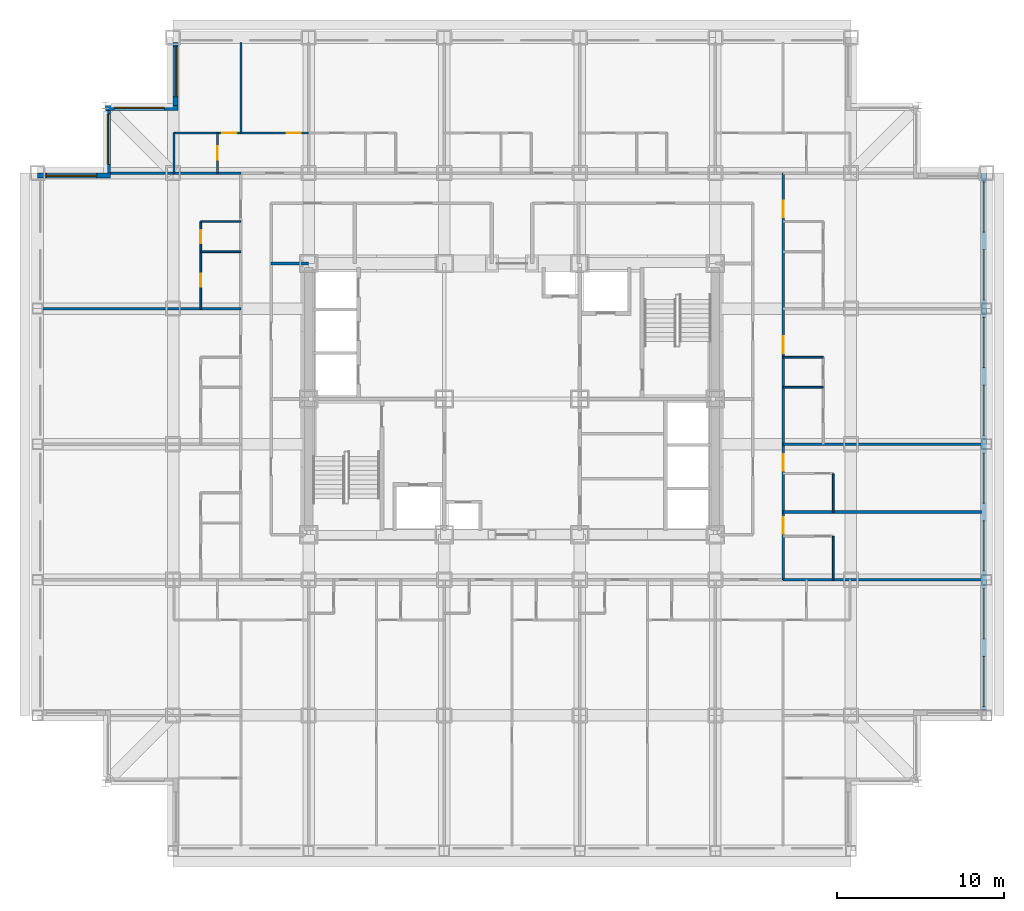
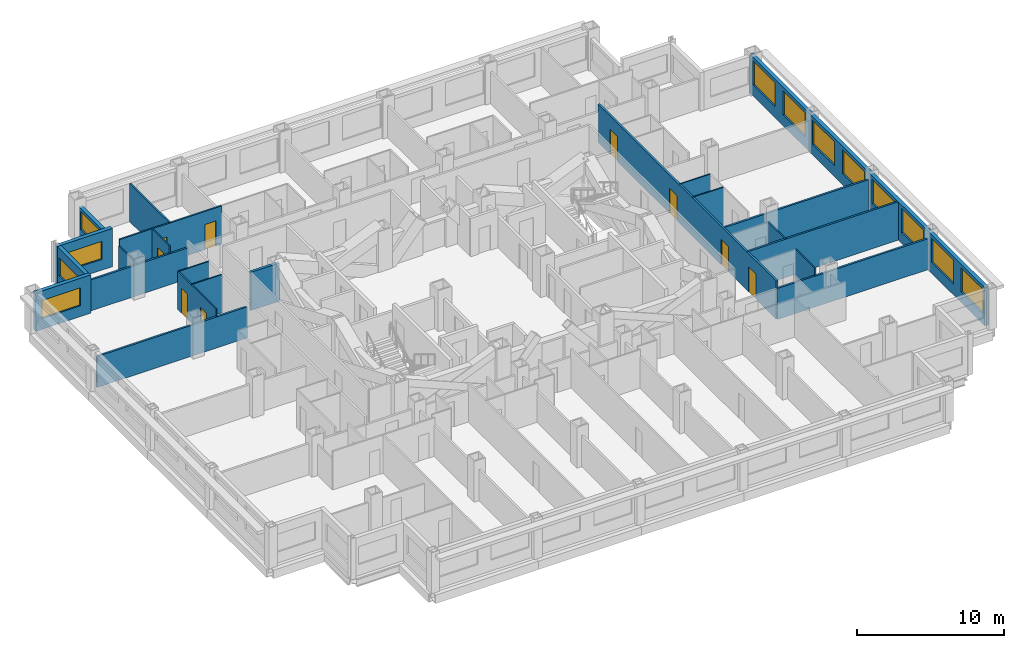
# One storey, part 8 of 12: 23 walls, 12 windows, 9 doors, 21 openings.
"""IFC4 building model written with IfcOpenShell, lengths in metres."""

from ifc_helpers import new_model, si_unit, direction, frame, frame_2d, origin, place, context, subcontext, project, spatial, rectangle, extrude, material, layer, layer_set, type_object, element, fill, save


model = new_model("IFC4")

# Units and contexts
model_context = context("Model", 3, precision=1e-05, world=origin(), true_north=direction((0.0, 1.0)))
body_context = subcontext(model_context, "Body", "Model", "MODEL_VIEW")
ifc_project = project(units=[si_unit("LENGTHUNIT", "METRE"), si_unit("AREAUNIT", "SQUARE_METRE"), si_unit("VOLUMEUNIT", "CUBIC_METRE"), si_unit("PLANEANGLEUNIT", "RADIAN"), si_unit("MASSUNIT", "GRAM", prefix="KILO")], contexts=[model_context])

# Site, building, storey
site_placement = place(None, origin())
site = spatial("IfcSite", under=ifc_project, at=site_placement, CompositionType="ELEMENT")
building_placement = place(site_placement, origin())
building = spatial("IfcBuilding", under=site, at=building_placement, Name="Kopane Lantern Tower", CompositionType="ELEMENT")
storey_placement = place(building_placement, frame((0.0, 0.0, 103.39990234375)))
storey = spatial("IfcBuildingStorey", under=building, at=storey_placement, Name="L25", CompositionType="ELEMENT", Elevation=103.39990234375)

# Wall, openings, doors
ifc_material_1 = material(Name="Gypsum board on steel studs", Category="steel")
ifc_layer_1 = layer(ifc_material_1, 0.1201171875)
ifc_layer_set_1 = layer_set([ifc_layer_1], Name="APARTMENT INTERNAL WALL 120")
wall_type_1 = type_object("IfcWallType", Name="APARTMENT INTERNAL WALL 120", PredefinedType="PARTITIONING", material=ifc_layer_set_1)
wall_1_placement = place(storey_placement, frame((8.14990234375, 48.300048828125, 0.0), z_axis=(0.0, 0.0, 1.0), x_axis=(1.0, 0.0, 0.0)))
wall_1 = element("IfcWall", 1, at=wall_1_placement, inside=storey, type_object=wall_type_1, Name="Apartment Internal Wall 120 L25", PredefinedType="PARTITIONING", context=body_context, shape_type="SweptSolid", body=[
    extrude(rectangle(XDim=8.050048828125, YDim=0.1201171875, at=frame_2d((4.02490234375, 0.0))), origin(), (0.0, 0.0, 1.0), 3.190185546875),
])
opening_1_placement = place(wall_1_placement, frame((6.72509765625, 0.0, 0.0)))
opening_1 = element("IfcOpeningElement", 2, at=opening_1_placement, cuts=wall_1, Name="Opening L25-064", PredefinedType="OPENING", context=body_context, shape_type="SweptSolid", body=[
    extrude(rectangle(XDim=0.85009765625, YDim=2.10009765625, at=frame_2d((0.425048828125, 1.050048828125))), frame((0.0, 0.070068359375, 0.0), z_axis=(0.0, -1.0, 0.0), x_axis=(1.0, 0.0, 0.0)), (0.0, 0.0, 1.0), 0.14013671875),
])
opening_2_placement = place(wall_1_placement, frame((2.875, 0.0, 0.0)))
opening_2 = element("IfcOpeningElement", 3, at=opening_2_placement, cuts=wall_1, Name="Opening L25-066", PredefinedType="OPENING", context=body_context, shape_type="SweptSolid", body=[
    extrude(rectangle(XDim=0.85009765625, YDim=2.10009765625, at=frame_2d((0.425048828125, 1.050048828125))), frame((0.0, 0.070068359375, 0.0), z_axis=(0.0, -1.0, 0.0), x_axis=(1.0, 0.0, 0.0)), (0.0, 0.0, 1.0), 0.14013671875),
])
ifc_material_2 = material(Name="Timber door set", Category="wood")
door_type_1 = type_object("IfcDoorType", Name="DOOR D4 850x2100", OperationType="SINGLE_SWING_LEFT", PredefinedType="DOOR", material=ifc_material_2)
door_1_placement = place(opening_1_placement, origin())
door_1 = element("IfcDoor", 4, at=door_1_placement, inside=storey, type_object=door_type_1, Name="Door L25-064", OperationType="SINGLE_SWING_LEFT", OverallHeight=2.10009765625, OverallWidth=0.85009765625, PredefinedType="DOOR", context=body_context, shape_type="SweptSolid", body=[
    extrude(rectangle(XDim=0.85009765625, YDim=2.10009765625, at=frame_2d((0.425048828125, 1.050048828125))), frame((0.0, 0.02490234375, 0.0), z_axis=(0.0, -1.0, 0.0), x_axis=(1.0, 0.0, 0.0)), (0.0, 0.0, 1.0), 0.050048828125),
])
fill(opening_1, door_1)
door_2_placement = place(opening_2_placement, origin())
door_2 = element("IfcDoor", 5, at=door_2_placement, inside=storey, type_object=door_type_1, Name="Door L25-066", OperationType="SINGLE_SWING_RIGHT", OverallHeight=2.10009765625, OverallWidth=0.85009765625, PredefinedType="DOOR", context=body_context, shape_type="SweptSolid", body=[
    extrude(rectangle(XDim=0.85009765625, YDim=2.10009765625, at=frame_2d((0.425048828125, 1.050048828125))), frame((0.0, 0.02490234375, 0.0), z_axis=(0.0, -1.0, 0.0), x_axis=(1.0, 0.0, 0.0)), (0.0, 0.0, 1.0), 0.050048828125),
])
fill(opening_2, door_2)

# Wall
wall_2_placement = place(storey_placement, frame((12.14990234375, 48.300048828125, 0.0), z_axis=(0.0, 0.0, 1.0), x_axis=(0.0, 1.0, 0.0)))
element("IfcWall", 6, at=wall_2_placement, inside=storey, type_object=wall_type_1, Name="Apartment Internal Wall 120 L25", PredefinedType="PARTITIONING", context=body_context, shape_type="SweptSolid", body=[
    extrude(rectangle(XDim=5.39990234375, YDim=0.1201171875, at=frame_2d((2.699951171875, 0.0))), origin(), (0.0, 0.0, 1.0), 3.190185546875),
])

# Wall, openings, doors
ifc_material_3 = material(Name="Moisture-resistant board on steel studs", Category="steel")
ifc_layer_2 = layer(ifc_material_3, 0.10009765625)
ifc_layer_set_2 = layer_set([ifc_layer_2], Name="BATHROOM WALL 100")
wall_type_2 = type_object("IfcWallType", Name="BATHROOM WALL 100", PredefinedType="PARTITIONING", material=ifc_layer_set_2)
wall_3_placement = place(storey_placement, frame((9.75, 37.800048828125, 0.0), z_axis=(0.0, 0.0, 1.0), x_axis=(0.0, 1.0, 0.0)))
wall_3 = element("IfcWall", 7, at=wall_3_placement, inside=storey, type_object=wall_type_2, Name="Bathroom Wall 100 L25", PredefinedType="PARTITIONING", context=body_context, shape_type="SweptSolid", body=[
    extrude(rectangle(XDim=5.199951171875, YDim=0.10009765625, at=frame_2d((2.60009765625, 0.0))), origin(), (0.0, 0.0, 1.0), 3.190185546875),
])
opening_3_placement = place(wall_3_placement, frame((1.300048828125, 0.0, 0.0)))
opening_3 = element("IfcOpeningElement", 8, at=opening_3_placement, cuts=wall_3, Name="Opening L25-036", PredefinedType="OPENING", context=body_context, shape_type="SweptSolid", body=[
    extrude(rectangle(XDim=0.800048828125, YDim=2.10009765625, at=frame_2d((0.39990234375, 1.050048828125))), frame((0.0, 0.06005859375, 0.0), z_axis=(0.0, -1.0, 0.0), x_axis=(1.0, 0.0, 0.0)), (0.0, 0.0, 1.0), 0.1201171875),
])
opening_4_placement = place(wall_3_placement, frame((3.89990234375, 0.0, 0.0)))
opening_4 = element("IfcOpeningElement", 9, at=opening_4_placement, cuts=wall_3, Name="Opening L25-037", PredefinedType="OPENING", context=body_context, shape_type="SweptSolid", body=[
    extrude(rectangle(XDim=0.800048828125, YDim=2.10009765625, at=frame_2d((0.39990234375, 1.050048828125))), frame((0.0, 0.06005859375, 0.0), z_axis=(0.0, -1.0, 0.0), x_axis=(1.0, 0.0, 0.0)), (0.0, 0.0, 1.0), 0.1201171875),
])
ifc_material_4 = material(Name="Timber door set", Category="wood")
door_type_2 = type_object("IfcDoorType", Name="DOOR D2 800x2100", OperationType="SINGLE_SWING_LEFT", PredefinedType="DOOR", material=ifc_material_4)
door_3_placement = place(opening_3_placement, origin())
door_3 = element("IfcDoor", 10, at=door_3_placement, inside=storey, type_object=door_type_2, Name="Door L25-036", OperationType="SINGLE_SWING_LEFT", OverallHeight=2.10009765625, OverallWidth=0.800048828125, PredefinedType="DOOR", context=body_context, shape_type="SweptSolid", body=[
    extrude(rectangle(XDim=0.800048828125, YDim=2.10009765625, at=frame_2d((0.39990234375, 1.050048828125))), frame((0.0, 0.02490234375, 0.0), z_axis=(0.0, -1.0, 0.0), x_axis=(1.0, 0.0, 0.0)), (0.0, 0.0, 1.0), 0.050048828125),
])
fill(opening_3, door_3)
door_4_placement = place(opening_4_placement, origin())
door_4 = element("IfcDoor", 11, at=door_4_placement, inside=storey, type_object=door_type_2, Name="Door L25-037", OperationType="SINGLE_SWING_LEFT", OverallHeight=2.10009765625, OverallWidth=0.800048828125, PredefinedType="DOOR", context=body_context, shape_type="SweptSolid", body=[
    extrude(rectangle(XDim=0.800048828125, YDim=2.10009765625, at=frame_2d((0.39990234375, 1.050048828125))), frame((0.0, 0.02490234375, 0.0), z_axis=(0.0, -1.0, 0.0), x_axis=(1.0, 0.0, 0.0)), (0.0, 0.0, 1.0), 0.050048828125),
])
fill(opening_4, door_4)

# Walls
for number, where, z_axis, x_axis, name in (
    (12, (12.14990234375, 41.199951171875, 0.0), (0.0, 0.0, 1.0), (-1.0, 0.0, 0.0), "Bathroom Wall 100 L25"),
    (13, (12.14990234375, 43.0, 0.0), (0.0, 0.0, 1.0), (-1.0, 0.0, 0.0), "Bathroom Wall 100 L25"),
):
    element("IfcWall", number, at=place(storey_placement, frame(where, z_axis=z_axis, x_axis=x_axis)), inside=storey, type_object=wall_type_2, Name=name, PredefinedType="PARTITIONING", context=body_context, shape_type="SweptSolid", body=[
        extrude(rectangle(XDim=2.39990234375, YDim=0.10009765625, at=frame_2d((1.199951171875, 0.0))), origin(), (0.0, 0.0, 1.0), 3.190185546875),
    ])
wall_4_placement = place(storey_placement, frame((47.550048828125, 21.60009765625, 0.0), z_axis=(0.0, 0.0, 1.0), x_axis=(0.0, 1.0, 0.0)))
element("IfcWall", 14, at=wall_4_placement, inside=storey, type_object=wall_type_2, Name="Bathroom Wall 100 L25", PredefinedType="PARTITIONING", context=body_context, shape_type="SweptSolid", body=[
    extrude(rectangle(XDim=2.599853515625, YDim=0.10009765625, at=frame_2d((1.2998046875, 0.0))), origin(), (0.0, 0.0, 1.0), 3.190185546875),
])
wall_5_placement = place(storey_placement, frame((47.550048828125, 25.64990234375, 0.0), z_axis=(0.0, 0.0, 1.0), x_axis=(0.0, 1.0, 0.0)))
element("IfcWall", 15, at=wall_5_placement, inside=storey, type_object=wall_type_2, Name="Bathroom Wall 100 L25", PredefinedType="PARTITIONING", context=body_context, shape_type="SweptSolid", body=[
    extrude(rectangle(XDim=2.300048828125, YDim=0.10009765625, at=frame_2d((1.14990234375, 0.0))), origin(), (0.0, 0.0, 1.0), 3.190185546875),
])
for number, where, z_axis, x_axis, name in (
    (16, (44.550048828125, 33.10009765625, 0.0), (0.0, 0.0, 1.0), (1.0, 0.0, 0.0), "Bathroom Wall 100 L25"),
    (17, (44.550048828125, 34.89990234375, 0.0), (0.0, 0.0, 1.0), (1.0, 0.0, 0.0), "Bathroom Wall 100 L25"),
):
    element("IfcWall", number, at=place(storey_placement, frame(where, z_axis=z_axis, x_axis=x_axis)), inside=storey, type_object=wall_type_2, Name=name, PredefinedType="PARTITIONING", context=body_context, shape_type="SweptSolid", body=[
        extrude(rectangle(XDim=2.39990234375, YDim=0.10009765625, at=frame_2d((1.199951171875, 0.0))), origin(), (0.0, 0.0, 1.0), 3.190185546875),
    ])

# Wall, opening, door
wall_6_placement = place(storey_placement, frame((10.75, 45.89990234375, 0.0), z_axis=(0.0, 0.0, 1.0), x_axis=(0.0, 1.0, 0.0)))
wall_6 = element("IfcWall", 18, at=wall_6_placement, inside=storey, type_object=wall_type_2, Name="Bathroom Wall 100 L25", PredefinedType="PARTITIONING", context=body_context, shape_type="SweptSolid", body=[
    extrude(rectangle(XDim=2.400146484375, YDim=0.10009765625, at=frame_2d((1.2001953125, 0.0))), origin(), (0.0, 0.0, 1.0), 3.190185546875),
])
opening_5_placement = place(wall_6_placement, frame((0.800048828125, 0.0, 0.0)))
opening_5 = element("IfcOpeningElement", 19, at=opening_5_placement, cuts=wall_6, Name="Opening L25-065", PredefinedType="OPENING", context=body_context, shape_type="SweptSolid", body=[
    extrude(rectangle(XDim=0.800048828125, YDim=2.10009765625, at=frame_2d((0.39990234375, 1.050048828125))), frame((0.0, 0.06005859375, 0.0), z_axis=(0.0, -1.0, 0.0), x_axis=(1.0, 0.0, 0.0)), (0.0, 0.0, 1.0), 0.1201171875),
])
door_5_placement = place(opening_5_placement, origin())
door_5 = element("IfcDoor", 20, at=door_5_placement, inside=storey, type_object=door_type_2, Name="Door L25-065", OperationType="SINGLE_SWING_LEFT", OverallHeight=2.10009765625, OverallWidth=0.800048828125, PredefinedType="DOOR", context=body_context, shape_type="SweptSolid", body=[
    extrude(rectangle(XDim=0.800048828125, YDim=2.10009765625, at=frame_2d((0.39990234375, 1.050048828125))), frame((0.0, 0.02490234375, 0.0), z_axis=(0.0, -1.0, 0.0), x_axis=(1.0, 0.0, 0.0)), (0.0, 0.0, 1.0), 0.050048828125),
])
fill(opening_5, door_5)

# Wall
wall_7_placement = place(storey_placement, frame((8.14990234375, 45.89990234375, 0.0), z_axis=(0.0, 0.0, 1.0), x_axis=(0.0, 1.0, 0.0)))
element("IfcWall", 21, at=wall_7_placement, inside=storey, type_object=wall_type_2, Name="Bathroom Wall 100 L25", PredefinedType="PARTITIONING", context=body_context, shape_type="SweptSolid", body=[
    extrude(rectangle(XDim=2.400146484375, YDim=0.10009765625, at=frame_2d((1.2001953125, 0.0))), origin(), (0.0, 0.0, 1.0), 2.64013671875),
])

# Wall, openings, doors
ifc_material_5 = material(Name="Gypsum board on steel studs", Category="steel")
ifc_layer_3 = layer(ifc_material_5, 0.14990234375)
ifc_layer_set_3 = layer_set([ifc_layer_3], Name="CORRIDOR WALL 150 EI 60")
wall_type_3 = type_object("IfcWallType", Name="CORRIDOR WALL 150 EI 60", PredefinedType="PARTITIONING", material=ifc_layer_set_3)
wall_8_placement = place(storey_placement, frame((44.550048828125, 21.60009765625, 0.0), z_axis=(0.0, 0.0, 1.0), x_axis=(0.0, 1.0, 0.0)))
wall_8 = element("IfcWall", 22, at=wall_8_placement, inside=storey, type_object=wall_type_3, Name="Corridor Wall 150 Ei 60 L25", PredefinedType="PARTITIONING", context=body_context, shape_type="SweptSolid", body=[
    extrude(rectangle(XDim=24.2998046875, YDim=0.14990234375, at=frame_2d((12.14990234375, 0.0))), origin(), (0.0, 0.0, 1.0), 3.190185546875),
])
opening_6_placement = place(wall_8_placement, frame((2.75, 0.0, 0.0)))
opening_6 = element("IfcOpeningElement", 23, at=opening_6_placement, cuts=wall_8, Name="Opening L25-040", PredefinedType="OPENING", context=body_context, shape_type="SweptSolid", body=[
    extrude(rectangle(XDim=1.0, YDim=2.10009765625, at=frame_2d((0.5, 1.050048828125))), frame((0.0, 0.0849609375, 0.0), z_axis=(0.0, -1.0, 0.0), x_axis=(1.0, 0.0, 0.0)), (0.0, 0.0, 1.0), 0.169921875),
])
opening_7_placement = place(wall_8_placement, frame((6.5, 0.0, 0.0)))
opening_7 = element("IfcOpeningElement", 24, at=opening_7_placement, cuts=wall_8, Name="Opening L25-042", PredefinedType="OPENING", context=body_context, shape_type="SweptSolid", body=[
    extrude(rectangle(XDim=1.0, YDim=2.10009765625, at=frame_2d((0.5, 1.050048828125))), frame((0.0, 0.0849609375, 0.0), z_axis=(0.0, -1.0, 0.0), x_axis=(1.0, 0.0, 0.0)), (0.0, 0.0, 1.0), 0.169921875),
])
opening_8_placement = place(wall_8_placement, frame((13.550048828125, 0.0, 0.0)))
opening_8 = element("IfcOpeningElement", 25, at=opening_8_placement, cuts=wall_8, Name="Opening L25-045", PredefinedType="OPENING", context=body_context, shape_type="SweptSolid", body=[
    extrude(rectangle(XDim=1.0, YDim=2.10009765625, at=frame_2d((0.5, 1.050048828125))), frame((0.0, 0.0849609375, 0.0), z_axis=(0.0, -1.0, 0.0), x_axis=(1.0, 0.0, 0.0)), (0.0, 0.0, 1.0), 0.169921875),
])
opening_9_placement = place(wall_8_placement, frame((21.64990234375, 0.0, 0.0)))
opening_9 = element("IfcOpeningElement", 26, at=opening_9_placement, cuts=wall_8, Name="Opening L25-048", PredefinedType="OPENING", context=body_context, shape_type="SweptSolid", body=[
    extrude(rectangle(XDim=1.0, YDim=2.10009765625, at=frame_2d((0.5, 1.050048828125))), frame((0.0, 0.0849609375, 0.0), z_axis=(0.0, -1.0, 0.0), x_axis=(1.0, 0.0, 0.0)), (0.0, 0.0, 1.0), 0.169921875),
])
ifc_material_6 = material(Name="Steel door set", Category="steel")
door_type_3 = type_object("IfcDoorType", Name="DOOR D1 1000x2100 FD30S", OperationType="SINGLE_SWING_LEFT", PredefinedType="DOOR", material=ifc_material_6)
door_6_placement = place(opening_6_placement, origin())
door_6 = element("IfcDoor", 27, at=door_6_placement, inside=storey, type_object=door_type_3, Name="Door L25-040", OperationType="SINGLE_SWING_RIGHT", OverallHeight=2.10009765625, OverallWidth=1.0, PredefinedType="DOOR", context=body_context, shape_type="SweptSolid", body=[
    extrude(rectangle(XDim=1.0, YDim=2.10009765625, at=frame_2d((0.5, 1.050048828125))), frame((0.0, 0.02490234375, 0.0), z_axis=(0.0, -1.0, 0.0), x_axis=(1.0, 0.0, 0.0)), (0.0, 0.0, 1.0), 0.050048828125),
])
fill(opening_6, door_6)
door_7_placement = place(opening_7_placement, origin())
door_7 = element("IfcDoor", 28, at=door_7_placement, inside=storey, type_object=door_type_3, Name="Door L25-042", OperationType="SINGLE_SWING_RIGHT", OverallHeight=2.10009765625, OverallWidth=1.0, PredefinedType="DOOR", context=body_context, shape_type="SweptSolid", body=[
    extrude(rectangle(XDim=1.0, YDim=2.10009765625, at=frame_2d((0.5, 1.050048828125))), frame((0.0, 0.02490234375, 0.0), z_axis=(0.0, -1.0, 0.0), x_axis=(1.0, 0.0, 0.0)), (0.0, 0.0, 1.0), 0.050048828125),
])
fill(opening_7, door_7)
door_8_placement = place(opening_8_placement, origin())
door_8 = element("IfcDoor", 29, at=door_8_placement, inside=storey, type_object=door_type_3, Name="Door L25-045", OperationType="SINGLE_SWING_RIGHT", OverallHeight=2.10009765625, OverallWidth=1.0, PredefinedType="DOOR", context=body_context, shape_type="SweptSolid", body=[
    extrude(rectangle(XDim=1.0, YDim=2.10009765625, at=frame_2d((0.5, 1.050048828125))), frame((0.0, 0.02490234375, 0.0), z_axis=(0.0, -1.0, 0.0), x_axis=(1.0, 0.0, 0.0)), (0.0, 0.0, 1.0), 0.050048828125),
])
fill(opening_8, door_8)
door_9_placement = place(opening_9_placement, origin())
door_9 = element("IfcDoor", 30, at=door_9_placement, inside=storey, type_object=door_type_3, Name="Door L25-048", OperationType="SINGLE_SWING_RIGHT", OverallHeight=2.10009765625, OverallWidth=1.0, PredefinedType="DOOR", context=body_context, shape_type="SweptSolid", body=[
    extrude(rectangle(XDim=1.0, YDim=2.10009765625, at=frame_2d((0.5, 1.050048828125))), frame((0.0, 0.02490234375, 0.0), z_axis=(0.0, -1.0, 0.0), x_axis=(1.0, 0.0, 0.0)), (0.0, 0.0, 1.0), 0.050048828125),
])
fill(opening_9, door_9)

# Walls
ifc_material_7 = material(Name="Gypsum board on steel studs", Category="steel")
ifc_layer_4 = layer(ifc_material_7, 0.14990234375)
ifc_layer_set_4 = layer_set([ifc_layer_4], Name="DEMISING WALL 150 EI 60")
wall_type_4 = type_object("IfcWallType", Name="DEMISING WALL 150 EI 60", PredefinedType="PARTITIONING", material=ifc_layer_set_4)
wall_9_placement = place(storey_placement, frame((12.14990234375, 37.800048828125, 0.0), z_axis=(0.0, 0.0, 1.0), x_axis=(-1.0, 0.0, 0.0)))
element("IfcWall", 31, at=wall_9_placement, inside=storey, type_object=wall_type_4, Name="Demising Wall 150 Ei 60 L25", PredefinedType="PARTITIONING", context=body_context, shape_type="SweptSolid", body=[
    extrude(rectangle(XDim=11.849853515625, YDim=0.14990234375, at=frame_2d((5.9248046875, 0.0))), origin(), (0.0, 0.0, 1.0), 2.577880859375),
])
wall_10_placement = place(storey_placement, frame((44.550048828125, 25.64990234375, 0.0), z_axis=(0.0, 0.0, 1.0), x_axis=(1.0, 0.0, 0.0)))
element("IfcWall", 32, at=wall_10_placement, inside=storey, type_object=wall_type_4, Name="Demising Wall 150 Ei 60 L25", PredefinedType="PARTITIONING", context=body_context, shape_type="SweptSolid", body=[
    extrude(rectangle(XDim=11.849853515625, YDim=0.14990234375, at=frame_2d((5.9248046875, 0.0))), origin(), (0.0, 0.0, 1.0), 3.190185546875),
])
for number, where, z_axis, x_axis, name in (
    (33, (44.550048828125, 29.699951171875, 0.0), (0.0, 0.0, 1.0), (1.0, 0.0, 0.0), "Demising Wall 150 Ei 60 L25"),
    (34, (44.550048828125, 21.60009765625, 0.0), (0.0, 0.0, 1.0), (1.0, 0.0, 0.0), "Demising Wall 150 Ei 60 L25"),
):
    element("IfcWall", number, at=place(storey_placement, frame(where, z_axis=z_axis, x_axis=x_axis)), inside=storey, type_object=wall_type_4, Name=name, PredefinedType="PARTITIONING", context=body_context, shape_type="SweptSolid", body=[
        extrude(rectangle(XDim=11.849853515625, YDim=0.14990234375, at=frame_2d((5.9248046875, 0.0))), origin(), (0.0, 0.0, 1.0), 2.577880859375),
    ])
wall_11_placement = place(storey_placement, frame((4.35009765625, 45.89990234375, 0.0), z_axis=(0.0, 0.0, 1.0), x_axis=(1.0, 0.0, 0.0)))
element("IfcWall", 35, at=wall_11_placement, inside=storey, type_object=wall_type_4, Name="Demising Wall 150 Ei 60 L25", PredefinedType="PARTITIONING", context=body_context, shape_type="SweptSolid", body=[
    extrude(rectangle(XDim=7.7998046875, YDim=0.14990234375, at=frame_2d((3.89990234375, 0.0))), origin(), (0.0, 0.0, 1.0), 2.577880859375),
])

# Wall, openings, windows
ifc_material_8 = material(Name="Terracotta rainscreen on light steel framing", Category="masonry")
ifc_layer_5 = layer(ifc_material_8, 0.300048828125)
ifc_layer_set_5 = layer_set([ifc_layer_5], Name="EXTERNAL WALL EW1 300 TERRACOTTA")
wall_type_5 = type_object("IfcWallType", Name="EXTERNAL WALL EW1 300 TERRACOTTA", PredefinedType="SOLIDWALL", material=ifc_layer_set_5)
wall_12_placement = place(storey_placement, frame((56.550048828125, 13.800048828125, 0.0), z_axis=(0.0, 0.0, 1.0), x_axis=(0.0, 1.0, 0.0)))
wall_12 = element("IfcWall", 36, at=wall_12_placement, inside=storey, type_object=wall_type_5, Name="External wall E L25", PredefinedType="SOLIDWALL", context=body_context, shape_type="SweptSolid", body=[
    extrude(rectangle(XDim=32.099853515625, YDim=0.300048828125, at=frame_2d((16.0498046875, 0.0))), origin(), (0.0, 0.0, 1.0), 3.190185546875),
])
opening_10_placement = place(wall_12_placement, frame((0.22509765625, 0.0, 0.89990234375)))
opening_10 = element("IfcOpeningElement", 37, at=opening_10_placement, cuts=wall_12, Name="Opening WR300200", PredefinedType="OPENING", context=body_context, shape_type="SweptSolid", body=[
    extrude(rectangle(XDim=3.0, YDim=2.0, at=frame_2d((1.5, 1.0))), frame((0.0, 0.159912109375, 0.0), z_axis=(0.0, -1.0, 0.0), x_axis=(1.0, 0.0, 0.0)), (0.0, 0.0, 1.0), 0.320068359375),
])
opening_11_placement = place(wall_12_placement, frame((4.27490234375, 0.0, 0.89990234375)))
opening_11 = element("IfcOpeningElement", 38, at=opening_11_placement, cuts=wall_12, Name="Opening WR300200", PredefinedType="OPENING", context=body_context, shape_type="SweptSolid", body=[
    extrude(rectangle(XDim=3.0, YDim=2.0, at=frame_2d((1.5, 1.0))), frame((0.0, 0.159912109375, 0.0), z_axis=(0.0, -1.0, 0.0), x_axis=(1.0, 0.0, 0.0)), (0.0, 0.0, 1.0), 0.320068359375),
])
opening_12_placement = place(wall_12_placement, frame((8.324951171875, 0.0, 0.89990234375)))
opening_12 = element("IfcOpeningElement", 39, at=opening_12_placement, cuts=wall_12, Name="Opening WR300200", PredefinedType="OPENING", context=body_context, shape_type="SweptSolid", body=[
    extrude(rectangle(XDim=3.0, YDim=2.0, at=frame_2d((1.5, 1.0))), frame((0.0, 0.159912109375, 0.0), z_axis=(0.0, -1.0, 0.0), x_axis=(1.0, 0.0, 0.0)), (0.0, 0.0, 1.0), 0.320068359375),
])
opening_13_placement = place(wall_12_placement, frame((12.375, 0.0, 0.89990234375)))
opening_13 = element("IfcOpeningElement", 40, at=opening_13_placement, cuts=wall_12, Name="Opening WR300200", PredefinedType="OPENING", context=body_context, shape_type="SweptSolid", body=[
    extrude(rectangle(XDim=3.0, YDim=2.0, at=frame_2d((1.5, 1.0))), frame((0.0, 0.159912109375, 0.0), z_axis=(0.0, -1.0, 0.0), x_axis=(1.0, 0.0, 0.0)), (0.0, 0.0, 1.0), 0.320068359375),
])
opening_14_placement = place(wall_12_placement, frame((16.425048828125, 0.0, 0.89990234375)))
opening_14 = element("IfcOpeningElement", 41, at=opening_14_placement, cuts=wall_12, Name="Opening WR300200", PredefinedType="OPENING", context=body_context, shape_type="SweptSolid", body=[
    extrude(rectangle(XDim=3.0, YDim=2.0, at=frame_2d((1.5, 1.0))), frame((0.0, 0.159912109375, 0.0), z_axis=(0.0, -1.0, 0.0), x_axis=(1.0, 0.0, 0.0)), (0.0, 0.0, 1.0), 0.320068359375),
])
opening_15_placement = place(wall_12_placement, frame((20.47509765625, 0.0, 0.89990234375)))
opening_15 = element("IfcOpeningElement", 42, at=opening_15_placement, cuts=wall_12, Name="Opening WR300200", PredefinedType="OPENING", context=body_context, shape_type="SweptSolid", body=[
    extrude(rectangle(XDim=3.0, YDim=2.0, at=frame_2d((1.5, 1.0))), frame((0.0, 0.159912109375, 0.0), z_axis=(0.0, -1.0, 0.0), x_axis=(1.0, 0.0, 0.0)), (0.0, 0.0, 1.0), 0.320068359375),
])
opening_16_placement = place(wall_12_placement, frame((24.52490234375, 0.0, 0.89990234375)))
opening_16 = element("IfcOpeningElement", 43, at=opening_16_placement, cuts=wall_12, Name="Opening WR300200", PredefinedType="OPENING", context=body_context, shape_type="SweptSolid", body=[
    extrude(rectangle(XDim=3.0, YDim=2.0, at=frame_2d((1.5, 1.0))), frame((0.0, 0.159912109375, 0.0), z_axis=(0.0, -1.0, 0.0), x_axis=(1.0, 0.0, 0.0)), (0.0, 0.0, 1.0), 0.320068359375),
])
opening_17_placement = place(wall_12_placement, frame((28.574951171875, 0.0, 0.89990234375)))
opening_17 = element("IfcOpeningElement", 44, at=opening_17_placement, cuts=wall_12, Name="Opening WR300200", PredefinedType="OPENING", context=body_context, shape_type="SweptSolid", body=[
    extrude(rectangle(XDim=3.0, YDim=2.0, at=frame_2d((1.5, 1.0))), frame((0.0, 0.159912109375, 0.0), z_axis=(0.0, -1.0, 0.0), x_axis=(1.0, 0.0, 0.0)), (0.0, 0.0, 1.0), 0.320068359375),
])
ifc_material_9 = material(Name="Aluminium and clear glass", Category="aluminium")
window_type_1 = type_object("IfcWindowType", Name="RIBBON WINDOW WR300200 3000x2000", PartitioningType="SINGLE_PANEL", PredefinedType="WINDOW", material=ifc_material_9)
window_1_placement = place(opening_10_placement, origin())
window_1 = element("IfcWindow", 45, at=window_1_placement, inside=storey, type_object=window_type_1, Name="Window E L25", OverallHeight=2.0, OverallWidth=3.0, PartitioningType="SINGLE_PANEL", PredefinedType="WINDOW", context=body_context, shape_type="SweptSolid", body=[
    extrude(rectangle(XDim=3.0, YDim=2.0, at=frame_2d((1.5, 1.0))), frame((0.0, 0.030029296875, 0.0), z_axis=(0.0, -1.0, 0.0), x_axis=(1.0, 0.0, 0.0)), (0.0, 0.0, 1.0), 0.06005859375),
])
fill(opening_10, window_1)
window_2_placement = place(opening_11_placement, origin())
window_2 = element("IfcWindow", 46, at=window_2_placement, inside=storey, type_object=window_type_1, Name="Window E L25", OverallHeight=2.0, OverallWidth=3.0, PartitioningType="SINGLE_PANEL", PredefinedType="WINDOW", context=body_context, shape_type="SweptSolid", body=[
    extrude(rectangle(XDim=3.0, YDim=2.0, at=frame_2d((1.5, 1.0))), frame((0.0, 0.030029296875, 0.0), z_axis=(0.0, -1.0, 0.0), x_axis=(1.0, 0.0, 0.0)), (0.0, 0.0, 1.0), 0.06005859375),
])
fill(opening_11, window_2)
window_3_placement = place(opening_12_placement, origin())
window_3 = element("IfcWindow", 47, at=window_3_placement, inside=storey, type_object=window_type_1, Name="Window E L25", OverallHeight=2.0, OverallWidth=3.0, PartitioningType="SINGLE_PANEL", PredefinedType="WINDOW", context=body_context, shape_type="SweptSolid", body=[
    extrude(rectangle(XDim=3.0, YDim=2.0, at=frame_2d((1.5, 1.0))), frame((0.0, 0.030029296875, 0.0), z_axis=(0.0, -1.0, 0.0), x_axis=(1.0, 0.0, 0.0)), (0.0, 0.0, 1.0), 0.06005859375),
])
fill(opening_12, window_3)
window_4_placement = place(opening_13_placement, origin())
window_4 = element("IfcWindow", 48, at=window_4_placement, inside=storey, type_object=window_type_1, Name="Window E L25", OverallHeight=2.0, OverallWidth=3.0, PartitioningType="SINGLE_PANEL", PredefinedType="WINDOW", context=body_context, shape_type="SweptSolid", body=[
    extrude(rectangle(XDim=3.0, YDim=2.0, at=frame_2d((1.5, 1.0))), frame((0.0, 0.030029296875, 0.0), z_axis=(0.0, -1.0, 0.0), x_axis=(1.0, 0.0, 0.0)), (0.0, 0.0, 1.0), 0.06005859375),
])
fill(opening_13, window_4)
window_5_placement = place(opening_14_placement, origin())
window_5 = element("IfcWindow", 49, at=window_5_placement, inside=storey, type_object=window_type_1, Name="Window E L25", OverallHeight=2.0, OverallWidth=3.0, PartitioningType="SINGLE_PANEL", PredefinedType="WINDOW", context=body_context, shape_type="SweptSolid", body=[
    extrude(rectangle(XDim=3.0, YDim=2.0, at=frame_2d((1.5, 1.0))), frame((0.0, 0.030029296875, 0.0), z_axis=(0.0, -1.0, 0.0), x_axis=(1.0, 0.0, 0.0)), (0.0, 0.0, 1.0), 0.06005859375),
])
fill(opening_14, window_5)
window_6_placement = place(opening_15_placement, origin())
window_6 = element("IfcWindow", 50, at=window_6_placement, inside=storey, type_object=window_type_1, Name="Window E L25", OverallHeight=2.0, OverallWidth=3.0, PartitioningType="SINGLE_PANEL", PredefinedType="WINDOW", context=body_context, shape_type="SweptSolid", body=[
    extrude(rectangle(XDim=3.0, YDim=2.0, at=frame_2d((1.5, 1.0))), frame((0.0, 0.030029296875, 0.0), z_axis=(0.0, -1.0, 0.0), x_axis=(1.0, 0.0, 0.0)), (0.0, 0.0, 1.0), 0.06005859375),
])
fill(opening_15, window_6)
window_7_placement = place(opening_16_placement, origin())
window_7 = element("IfcWindow", 51, at=window_7_placement, inside=storey, type_object=window_type_1, Name="Window E L25", OverallHeight=2.0, OverallWidth=3.0, PartitioningType="SINGLE_PANEL", PredefinedType="WINDOW", context=body_context, shape_type="SweptSolid", body=[
    extrude(rectangle(XDim=3.0, YDim=2.0, at=frame_2d((1.5, 1.0))), frame((0.0, 0.030029296875, 0.0), z_axis=(0.0, -1.0, 0.0), x_axis=(1.0, 0.0, 0.0)), (0.0, 0.0, 1.0), 0.06005859375),
])
fill(opening_16, window_7)
window_8_placement = place(opening_17_placement, origin())
window_8 = element("IfcWindow", 52, at=window_8_placement, inside=storey, type_object=window_type_1, Name="Window E L25", OverallHeight=2.0, OverallWidth=3.0, PartitioningType="SINGLE_PANEL", PredefinedType="WINDOW", context=body_context, shape_type="SweptSolid", body=[
    extrude(rectangle(XDim=3.0, YDim=2.0, at=frame_2d((1.5, 1.0))), frame((0.0, 0.030029296875, 0.0), z_axis=(0.0, -1.0, 0.0), x_axis=(1.0, 0.0, 0.0)), (0.0, 0.0, 1.0), 0.06005859375),
])
fill(opening_17, window_8)

# Wall, opening, window
wall_13_placement = place(storey_placement, frame((8.25, 53.699951171875, 0.0), z_axis=(0.0, 0.0, 1.0), x_axis=(0.0, -1.0, 0.0)))
wall_13 = element("IfcWall", 53, at=wall_13_placement, inside=storey, type_object=wall_type_5, Name="External wall W L25", PredefinedType="SOLIDWALL", context=body_context, shape_type="SweptSolid", body=[
    extrude(rectangle(XDim=3.75, YDim=0.300048828125, at=frame_2d((1.875, 0.0))), origin(), (0.0, 0.0, 1.0), 2.64013671875),
])
opening_18_placement = place(wall_13_placement, frame((0.22509765625, 0.0, 0.89990234375)))
opening_18 = element("IfcOpeningElement", 54, at=opening_18_placement, cuts=wall_13, Name="Opening WR300150", PredefinedType="OPENING", context=body_context, shape_type="SweptSolid", body=[
    extrude(rectangle(XDim=3.0, YDim=1.5, at=frame_2d((1.5, 0.75))), frame((0.0, 0.159912109375, 0.0), z_axis=(0.0, -1.0, 0.0), x_axis=(1.0, 0.0, 0.0)), (0.0, 0.0, 1.0), 0.320068359375),
])
ifc_material_10 = material(Name="Aluminium and clear glass", Category="aluminium")
window_type_2 = type_object("IfcWindowType", Name="RIBBON WINDOW WR300150 3000x1500", PartitioningType="SINGLE_PANEL", PredefinedType="WINDOW", material=ifc_material_10)
window_9_placement = place(opening_18_placement, origin())
window_9 = element("IfcWindow", 55, at=window_9_placement, inside=storey, type_object=window_type_2, Name="Window W L25", OverallHeight=1.5, OverallWidth=3.0, PartitioningType="SINGLE_PANEL", PredefinedType="WINDOW", context=body_context, shape_type="SweptSolid", body=[
    extrude(rectangle(XDim=3.0, YDim=1.5, at=frame_2d((1.5, 0.75))), frame((0.0, 0.030029296875, 0.0), z_axis=(0.0, -1.0, 0.0), x_axis=(1.0, 0.0, 0.0)), (0.0, 0.0, 1.0), 0.06005859375),
])
fill(opening_18, window_9)

wall_14_placement = place(storey_placement, frame((8.39990234375, 49.800048828125, 0.0), z_axis=(0.0, 0.0, 1.0), x_axis=(-1.0, 0.0, 0.0)))
wall_14 = element("IfcWall", 56, at=wall_14_placement, inside=storey, type_object=wall_type_5, Name="External wall N L25", PredefinedType="SOLIDWALL", context=body_context, shape_type="SweptSolid", body=[
    extrude(rectangle(XDim=4.349853515625, YDim=0.300048828125, at=frame_2d((2.1748046875, 0.0))), origin(), (0.0, 0.0, 1.0), 3.190185546875),
])
opening_19_placement = place(wall_14_placement, frame((0.824951171875, 0.0, 0.89990234375)))
opening_19 = element("IfcOpeningElement", 57, at=opening_19_placement, cuts=wall_14, Name="Opening WR300150", PredefinedType="OPENING", context=body_context, shape_type="SweptSolid", body=[
    extrude(rectangle(XDim=3.0, YDim=1.5, at=frame_2d((1.5, 0.75))), frame((0.0, 0.159912109375, 0.0), z_axis=(0.0, -1.0, 0.0), x_axis=(1.0, 0.0, 0.0)), (0.0, 0.0, 1.0), 0.320068359375),
])
window_10_placement = place(opening_19_placement, origin())
window_10 = element("IfcWindow", 58, at=window_10_placement, inside=storey, type_object=window_type_2, Name="Window N L25", OverallHeight=1.5, OverallWidth=3.0, PartitioningType="SINGLE_PANEL", PredefinedType="WINDOW", context=body_context, shape_type="SweptSolid", body=[
    extrude(rectangle(XDim=3.0, YDim=1.5, at=frame_2d((1.5, 0.75))), frame((0.0, 0.030029296875, 0.0), z_axis=(0.0, -1.0, 0.0), x_axis=(1.0, 0.0, 0.0)), (0.0, 0.0, 1.0), 0.06005859375),
])
fill(opening_19, window_10)

wall_15_placement = place(storey_placement, frame((4.199951171875, 49.64990234375, 0.0), z_axis=(0.0, 0.0, 1.0), x_axis=(0.0, -1.0, 0.0)))
wall_15 = element("IfcWall", 59, at=wall_15_placement, inside=storey, type_object=wall_type_5, Name="External wall W L25", PredefinedType="SOLIDWALL", context=body_context, shape_type="SweptSolid", body=[
    extrude(rectangle(XDim=3.75, YDim=0.300048828125, at=frame_2d((1.875, 0.0))), origin(), (0.0, 0.0, 1.0), 3.190185546875),
])
opening_20_placement = place(wall_15_placement, frame((0.22509765625, 0.0, 0.89990234375)))
opening_20 = element("IfcOpeningElement", 60, at=opening_20_placement, cuts=wall_15, Name="Opening WR300150", PredefinedType="OPENING", context=body_context, shape_type="SweptSolid", body=[
    extrude(rectangle(XDim=3.0, YDim=1.5, at=frame_2d((1.5, 0.75))), frame((0.0, 0.159912109375, 0.0), z_axis=(0.0, -1.0, 0.0), x_axis=(1.0, 0.0, 0.0)), (0.0, 0.0, 1.0), 0.320068359375),
])
window_11_placement = place(opening_20_placement, origin())
window_11 = element("IfcWindow", 61, at=window_11_placement, inside=storey, type_object=window_type_2, Name="Window W L25", OverallHeight=1.5, OverallWidth=3.0, PartitioningType="SINGLE_PANEL", PredefinedType="WINDOW", context=body_context, shape_type="SweptSolid", body=[
    extrude(rectangle(XDim=3.0, YDim=1.5, at=frame_2d((1.5, 0.75))), frame((0.0, 0.030029296875, 0.0), z_axis=(0.0, -1.0, 0.0), x_axis=(1.0, 0.0, 0.0)), (0.0, 0.0, 1.0), 0.06005859375),
])
fill(opening_20, window_11)

wall_16_placement = place(storey_placement, frame((4.35009765625, 45.75, 0.0), z_axis=(0.0, 0.0, 1.0), x_axis=(-1.0, 0.0, 0.0)))
wall_16 = element("IfcWall", 62, at=wall_16_placement, inside=storey, type_object=wall_type_5, Name="External wall N L25", PredefinedType="SOLIDWALL", context=body_context, shape_type="SweptSolid", body=[
    extrude(rectangle(XDim=4.35009765625, YDim=0.300048828125, at=frame_2d((2.175048828125, 0.0))), origin(), (0.0, 0.0, 1.0), 3.190185546875),
])
opening_21_placement = place(wall_16_placement, frame((0.824951171875, 0.0, 0.89990234375)))
opening_21 = element("IfcOpeningElement", 63, at=opening_21_placement, cuts=wall_16, Name="Opening WR300150", PredefinedType="OPENING", context=body_context, shape_type="SweptSolid", body=[
    extrude(rectangle(XDim=3.0, YDim=1.5, at=frame_2d((1.5, 0.75))), frame((0.0, 0.159912109375, 0.0), z_axis=(0.0, -1.0, 0.0), x_axis=(1.0, 0.0, 0.0)), (0.0, 0.0, 1.0), 0.320068359375),
])
window_12_placement = place(opening_21_placement, origin())
window_12 = element("IfcWindow", 64, at=window_12_placement, inside=storey, type_object=window_type_2, Name="Window N L25", OverallHeight=1.5, OverallWidth=3.0, PartitioningType="SINGLE_PANEL", PredefinedType="WINDOW", context=body_context, shape_type="SweptSolid", body=[
    extrude(rectangle(XDim=3.0, YDim=1.5, at=frame_2d((1.5, 0.75))), frame((0.0, 0.030029296875, 0.0), z_axis=(0.0, -1.0, 0.0), x_axis=(1.0, 0.0, 0.0)), (0.0, 0.0, 1.0), 0.06005859375),
])
fill(opening_21, window_12)

# Wall
ifc_material_11 = material(Name="Concrete masonry", Category="masonry")
ifc_layer_6 = layer(ifc_material_11, 0.199951171875)
ifc_layer_set_6 = layer_set([ifc_layer_6], Name="PLANT ROOM WALL 200 EI 120")
wall_type_6 = type_object("IfcWallType", Name="PLANT ROOM WALL 200 EI 120", PredefinedType="SOLIDWALL", material=ifc_layer_set_6)
wall_17_placement = place(storey_placement, frame((13.949951171875, 40.5, 0.0), z_axis=(0.0, 0.0, 1.0), x_axis=(1.0, 0.0, 0.0)))
element("IfcWall", 65, at=wall_17_placement, inside=storey, type_object=wall_type_6, Name="Plant Room Wall 200 Ei 120 L25", PredefinedType="SOLIDWALL", context=body_context, shape_type="SweptSolid", body=[
    extrude(rectangle(XDim=2.25, YDim=0.199951171875, at=frame_2d((1.125, 0.0))), origin(), (0.0, 0.0, 1.0), 3.190185546875),
])

save(model, "model.ifc")
